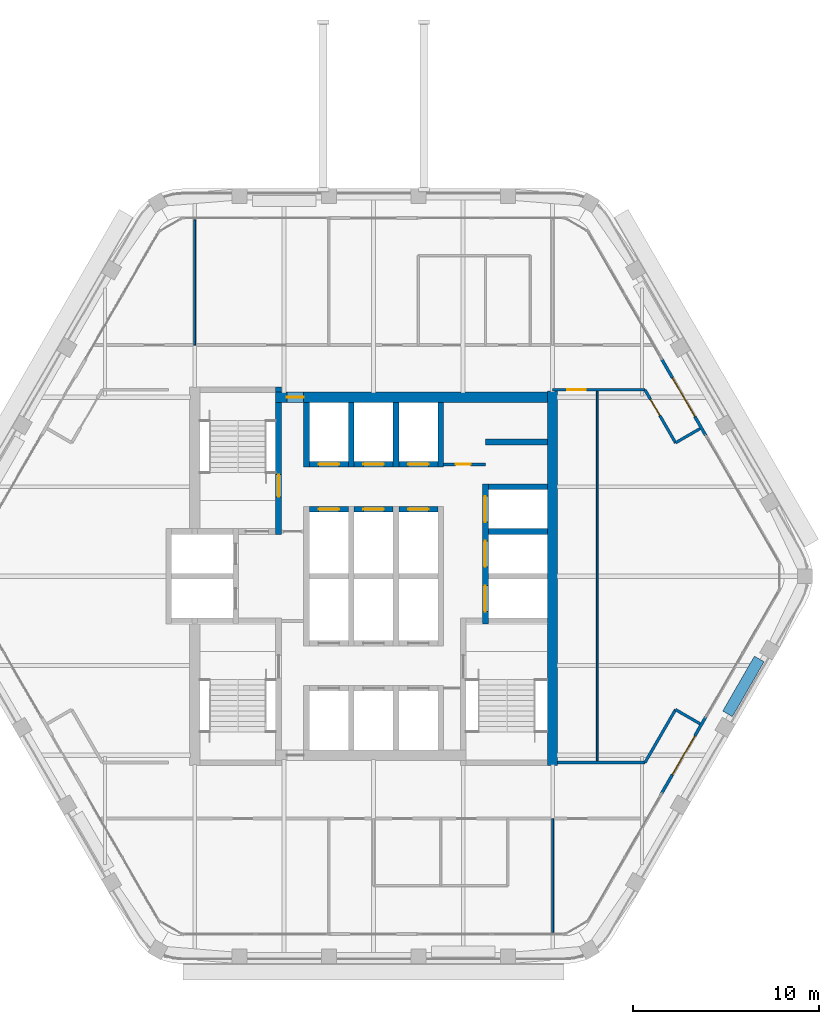
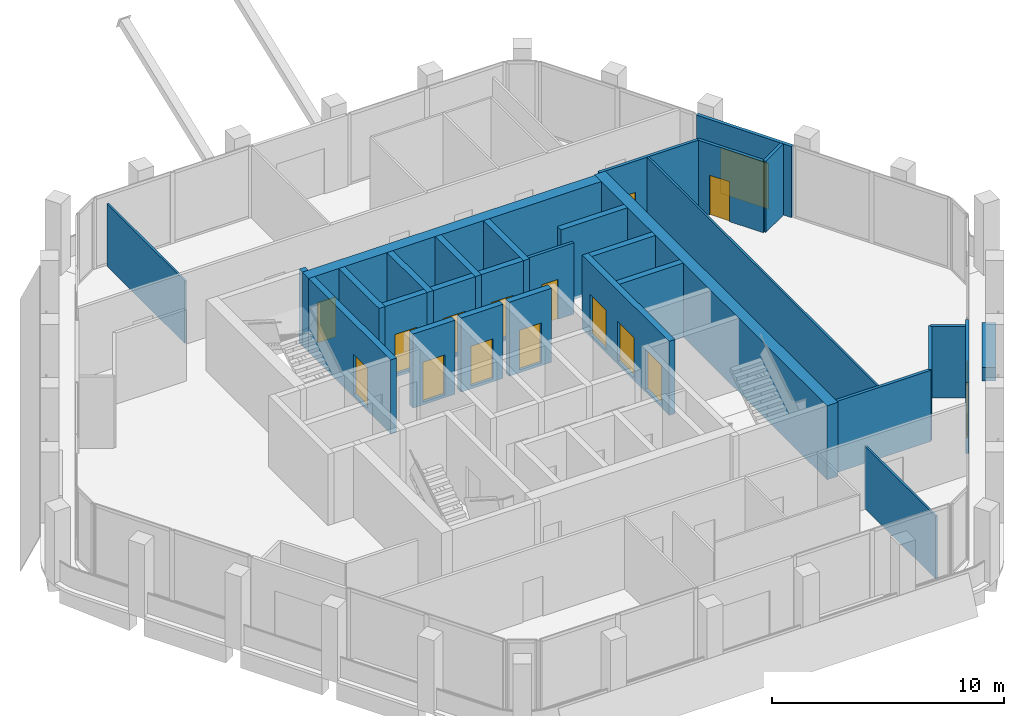
# One storey, part 9 of 14: 31 walls, 16 doors, 16 openings.
"""IFC4 building model written with IfcOpenShell, lengths in metres."""

import ifcopenshell
import ifcopenshell.guid

model = None  # the IFC model being written
_history = None  # IfcOwnerHistory: only IFC2X3 demands one
_inside = {}  # id of a spatial element -> (the spatial element, [elements in it])
_under = {}  # id of a project, library or spatial element -> (it, [spatial elements below it])
_declared = {}  # id of a project -> (the project, [libraries it declares])
_typed = {}  # id of a type object -> (the type object, [elements of that type])
_made_of = {}  # id of a material, layer set ... -> (it, [elements and type objects made of it])


def new_model(schema):
    """Start an empty IFC model of exactly this schema.

    Asked for "IFC4X3", IfcOpenShell would pick the latest addendum, in which some entities
    have other attributes; the version numbers below select the first issue.
    IFC2X3 requires an IfcOwnerHistory on every rooted entity: one is made here for all.
    """
    global model, _history
    if schema == "IFC4X3":
        model = ifcopenshell.file(schema_version=(4, 3, 0, 0))
    else:
        model = ifcopenshell.file(schema=schema)
    _inside.clear()
    _under.clear()
    _declared.clear()
    _typed.clear()
    _made_of.clear()
    _history = None
    if model.schema == "IFC2X3":
        org = make("IfcOrganization", Name="unknown")
        user = make(
            "IfcPersonAndOrganization",
            ThePerson=make("IfcPerson", FamilyName="unknown"),
            TheOrganization=org,
        )
        app = make(
            "IfcApplication",
            ApplicationDeveloper=org,
            Version="unknown",
            ApplicationFullName="unknown",
            ApplicationIdentifier="unknown",
        )
        _history = make(
            "IfcOwnerHistory",
            OwningUser=user,
            OwningApplication=app,
            ChangeAction="ADDED",
            CreationDate=0,
        )
    return model


def make(cls, **values):
    """One entity of the class cls with the attributes given. An attribute that is None is left unset."""
    return model.create_entity(
        cls, **{name: value for name, value in values.items() if value is not None}
    )


def rooted(cls, **values):
    """An entity with a GlobalId (a new one), such as an element, a storey or a relation."""
    return make(cls, GlobalId=ifcopenshell.guid.new(), OwnerHistory=_history, **values)


def si_unit(unit_type, name, prefix=None):
    """IfcSIUnit, for example si_unit("LENGTHUNIT", "METRE", prefix="MILLI")."""
    return make("IfcSIUnit", UnitType=unit_type, Prefix=prefix, Name=name)


def assignment(units):
    """IfcUnitAssignment: the units of a project."""
    return None if units is None else make("IfcUnitAssignment", Units=units)


def point(xyz):
    """IfcCartesianPoint."""
    return None if xyz is None else make("IfcCartesianPoint", Coordinates=xyz)


def direction(xyz):
    """IfcDirection."""
    return None if xyz is None else make("IfcDirection", DirectionRatios=xyz)


def frame(location, z_axis=None, x_axis=None):
    """IfcAxis2Placement3D, a coordinate frame: its origin and axes. An axis left out is left unset."""
    return make(
        "IfcAxis2Placement3D",
        Location=point(location),
        Axis=direction(z_axis),
        RefDirection=direction(x_axis),
    )


def frame_2d(location, x_axis=None):
    """IfcAxis2Placement2D, a coordinate frame in the plane: its origin and x axis."""
    return make(
        "IfcAxis2Placement2D", Location=point(location), RefDirection=direction(x_axis)
    )


def origin():
    """The frame at (0, 0, 0) with its axes left unset."""
    return frame((0.0, 0.0, 0.0))


def place(relative_to, where):
    """IfcLocalPlacement: puts the frame where relative to a parent placement (None: the world)."""
    return make(
        "IfcLocalPlacement", PlacementRelTo=relative_to, RelativePlacement=where
    )


def context(
    kind, dimensions, precision=None, world=None, true_north=None, identifier=None
):
    """IfcGeometricRepresentationContext, for example the 3D "Model" context."""
    return make(
        "IfcGeometricRepresentationContext",
        ContextIdentifier=identifier,
        ContextType=kind,
        CoordinateSpaceDimension=dimensions,
        Precision=precision,
        WorldCoordinateSystem=world,
        TrueNorth=true_north,
    )


def subcontext(parent, identifier, kind, view, scale=None):
    """IfcGeometricRepresentationSubContext, for example "Body" below "Model"."""
    return make(
        "IfcGeometricRepresentationSubContext",
        ContextIdentifier=identifier,
        ContextType=kind,
        ParentContext=parent,
        TargetScale=scale,
        TargetView=view,
    )


def project(units=None, contexts=None):
    """IfcProject with its units and contexts."""
    return rooted(
        "IfcProject",
        Name="project",
        RepresentationContexts=contexts,
        UnitsInContext=assignment(units),
    )


def spatial(cls, under=None, at=None, **own):
    """A site, building, storey or space (cls), placed at a placement, below another one or the project."""
    s = rooted(cls, ObjectPlacement=at, **own)
    if under is not None:
        _under.setdefault(under.id(), (under, []))[1].append(s)
    return s


def profile(cls, at=None, kind="AREA", **sizes):
    """A parametric profile (cls). Its sizes go by their IFC names, for example OverallWidth=200.0."""
    return make(cls, ProfileType=kind, Position=at, **sizes)


def rectangle(**sizes):
    """IfcRectangleProfileDef."""
    return profile("IfcRectangleProfileDef", **sizes)


def extrude(swept, where, along, depth):
    """IfcExtrudedAreaSolid: the profile swept, set in the frame where, extruded along a direction by depth."""
    return make(
        "IfcExtrudedAreaSolid",
        SweptArea=swept,
        Position=where,
        ExtrudedDirection=direction(along),
        Depth=depth,
    )


def shape(context_of_items, identifier, shape_type, items):
    """IfcShapeRepresentation: the items that make up one representation, for example the "Body"."""
    return make(
        "IfcShapeRepresentation",
        ContextOfItems=context_of_items,
        RepresentationIdentifier=identifier,
        RepresentationType=shape_type,
        Items=items,
    )


def material(Name=None, Category=None):
    """IfcMaterial."""
    return make("IfcMaterial", Name=Name, Category=Category)


def layer(
    of_material, thickness, ventilated=None, Name=None, Category=None, Priority=None
):
    """IfcMaterialLayer: one layer of a wall or slab, of a material (None: an air gap)."""
    return make(
        "IfcMaterialLayer",
        Material=of_material,
        LayerThickness=thickness,
        IsVentilated=ventilated,
        Name=Name,
        Category=Category,
        Priority=Priority,
    )


def layer_set(layers, Name=None):
    """IfcMaterialLayerSet."""
    return make("IfcMaterialLayerSet", MaterialLayers=layers, LayerSetName=Name)


def made_of(thing, what):
    """Note that an element or type object is made of a material, layer set ...; save() writes the relation."""
    if what is not None:
        _made_of.setdefault(what.id(), (what, []))[1].append(thing)
    return thing


def type_object(cls, material=None, **own):
    """A type object (cls), such as IfcWallType, which elements share."""
    return made_of(rooted(cls, **own), material)


def element(
    cls,
    number,
    at=None,
    inside=None,
    cuts=None,
    type_object=None,
    material=None,
    context=None,
    identifier="Body",
    shape_type=None,
    held_by="IfcProductDefinitionShape",
    body=None,
    shapes=None,
    **own,
):
    """One element of the class cls, such as IfcWall. Its Tag is "e" and its number.

    at: its placement. inside: the storey or other place that contains it. cuts: it is an
    opening in that element (IfcRelVoidsElement). A single representation is given by context,
    identifier, shape_type and body (its items); several are given by shapes. held_by: the class
    of the entity that holds the representations. save() writes the other relations.
    """
    e = rooted(cls, Tag="e%d" % number, ObjectPlacement=at, **own)
    if body is not None:
        shapes = [shape(context, identifier, shape_type, body)]
    if shapes is not None:
        e.Representation = make(held_by, Representations=shapes)
    if inside is not None:
        _inside.setdefault(inside.id(), (inside, []))[1].append(e)
    if cuts is not None:
        rooted(
            "IfcRelVoidsElement", RelatingBuildingElement=cuts, RelatedOpeningElement=e
        )
    if type_object is not None:
        _typed.setdefault(type_object.id(), (type_object, []))[1].append(e)
    return made_of(e, material)


def fill(opening, filler):
    """IfcRelFillsElement: the door or window that sits in an opening."""
    return rooted(
        "IfcRelFillsElement",
        RelatingOpeningElement=opening,
        RelatedBuildingElement=filler,
    )


def aggregate(whole, parts):
    """IfcRelAggregates: a whole, such as a stair, and the parts it consists of."""
    return rooted("IfcRelAggregates", RelatingObject=whole, RelatedObjects=parts)


def save(model, path):
    """Write the relations noted so far, then the file.

    IfcRelAggregates (storeys below a building ...), IfcRelContainedInSpatialStructure (elements
    in a storey), IfcRelDefinesByType, IfcRelAssociatesMaterial and IfcRelDeclares: one each for
    every whole, place, type object, material and project.
    """
    for whole, parts in _under.values():
        aggregate(whole, parts)
    for where, things in _inside.values():
        rooted(
            "IfcRelContainedInSpatialStructure",
            RelatedElements=things,
            RelatingStructure=where,
        )
    for kind, things in _typed.values():
        rooted("IfcRelDefinesByType", RelatedObjects=things, RelatingType=kind)
    for what, things in _made_of.values():
        rooted("IfcRelAssociatesMaterial", RelatedObjects=things, RelatingMaterial=what)
    for by, libraries in _declared.values():
        rooted("IfcRelDeclares", RelatingContext=by, RelatedDefinitions=libraries)
    model.write(path)


model = new_model("IFC4")

# Units and contexts
model_context = context("Model", 3, precision=1e-05, world=origin(), true_north=direction((0.0, 1.0)))
body_context = subcontext(model_context, "Body", "Model", "MODEL_VIEW")
ifc_project = project(units=[si_unit("LENGTHUNIT", "METRE"), si_unit("AREAUNIT", "SQUARE_METRE"), si_unit("VOLUMEUNIT", "CUBIC_METRE"), si_unit("PLANEANGLEUNIT", "RADIAN"), si_unit("MASSUNIT", "GRAM", prefix="KILO")], contexts=[model_context])

# Site, building, storey
site_placement = place(None, origin())
site = spatial("IfcSite", under=ifc_project, at=site_placement, CompositionType="ELEMENT")
building_placement = place(site_placement, origin())
building = spatial("IfcBuilding", under=site, at=building_placement, Name="Kolab Exchange Tower", CompositionType="ELEMENT")
storey_placement = place(building_placement, frame((0.0, 0.0, 261.800048828125)))
storey = spatial("IfcBuildingStorey", under=building, at=storey_placement, Name="L58", CompositionType="ELEMENT", Elevation=261.800048828125)

# Wall, opening, door
ifc_material_1 = material(Name="Concrete C50/60", Category="concrete")
ifc_layer_1 = layer(ifc_material_1, 0.550048828125)
ifc_layer_set_1 = layer_set([ifc_layer_1], Name="Concrete C50/60")
wall_type_1 = type_object("IfcWallType", Name="CORE WALL 550 C50/60", PredefinedType="SHEAR", material=ifc_layer_set_1)
wall_1_placement = place(storey_placement, frame((-5.25, 9.60009765625, -0.150146484375), z_axis=(0.0, 0.0, 1.0), x_axis=(1.0, 0.0, 0.0)))
wall_1 = element("IfcWall", 1, at=wall_1_placement, inside=storey, type_object=wall_type_1, Name="wall/L58/core/031", PredefinedType="SHEAR", context=body_context, shape_type="SweptSolid", body=[
    extrude(rectangle(XDim=14.574951171875, YDim=0.550048828125, at=frame_2d((7.28759765625, 0.0))), origin(), (0.0, 0.0, 1.0), 3.900146484375),
])
opening_1_placement = place(wall_1_placement, frame((0.60009765625, 0.0, 0.14990234375)))
opening_1 = element("IfcOpeningElement", 2, at=opening_1_placement, cuts=wall_1, Name="Opening D6-295", PredefinedType="OPENING", context=body_context, shape_type="SweptSolid", body=[
    extrude(rectangle(XDim=0.89990234375, YDim=2.10009765625, at=frame_2d((0.449951171875, 1.050048828125))), frame((0.0, 0.28515625, 0.0), z_axis=(0.0, -1.0, 0.0), x_axis=(1.0, 0.0, 0.0)), (0.0, 0.0, 1.0), 0.570068359375),
])
ifc_material_2 = material(Name="Steel S235", Category="steel")
door_type_1 = type_object("IfcDoorType", Name="CORE DOOR 900 EI 120", OperationType="SINGLE_SWING_LEFT", PredefinedType="DOOR", material=ifc_material_2)
door_1_placement = place(opening_1_placement, frame((0.89990234375, 0.0, 0.0), z_axis=(0.0, 0.0, 1.0), x_axis=(-1.0, 0.0, 0.0)))
door_1 = element("IfcDoor", 3, at=door_1_placement, inside=storey, type_object=door_type_1, Name="Core lobby door", OperationType="SINGLE_SWING_RIGHT", OverallHeight=2.10009765625, OverallWidth=0.89990234375, PredefinedType="DOOR", context=body_context, shape_type="SweptSolid", body=[
    extrude(rectangle(XDim=0.89990234375, YDim=2.10009765625, at=frame_2d((0.449951171875, 1.050048828125))), frame((0.0, 0.02490234375, 0.0), z_axis=(0.0, -1.0, 0.0), x_axis=(1.0, 0.0, 0.0)), (0.0, 0.0, 1.0), 0.050048828125),
])
fill(opening_1, door_1)

# Wall
wall_2_placement = place(storey_placement, frame((9.60009765625, -10.14990234375, -0.150146484375), z_axis=(0.0, 0.0, 1.0), x_axis=(0.0, 1.0, 0.0)))
element("IfcWall", 4, at=wall_2_placement, inside=storey, type_object=wall_type_1, Name="wall/L58/core/058", PredefinedType="SHEAR", context=body_context, shape_type="SweptSolid", body=[
    extrude(rectangle(XDim=20.074951171875, YDim=0.550048828125, at=frame_2d((10.03759765625, 0.0))), origin(), (0.0, 0.0, 1.0), 3.900146484375),
])

# Wall, opening, door
ifc_material_3 = material(Name="Aluminium EN AW-6063 T6", Category="aluminium")
ifc_layer_2 = layer(ifc_material_3, 0.159912109375)
ifc_layer_set_2 = layer_set([ifc_layer_2], Name="Aluminium EN AW-6063 T6")
wall_type_2 = type_object("IfcWallType", Name="DOOR SURROUND WALL 160 ALUMINIUM FRAMED", PredefinedType="PARTITIONING", material=ifc_layer_set_2)
wall_3_placement = place(storey_placement, frame((15.44677734375, 11.65478515625, 0.0), z_axis=(0.0, 0.0, 1.0), x_axis=(0.499978080042, -0.866038058908, 0.0)))
wall_3 = element("IfcWall", 5, at=wall_3_placement, inside=storey, type_object=wall_type_2, Name="Door surround wall", PredefinedType="PARTITIONING", context=body_context, shape_type="SweptSolid", body=[
    extrude(rectangle(XDim=4.739990234375, YDim=0.159912109375, at=frame_2d((2.3701171875, 0.0))), origin(), (0.0, 0.0, 1.0), 3.75),
])
opening_2_placement = place(wall_3_placement, frame((1.169921875, 0.0, 0.0)))
opening_2 = element("IfcOpeningElement", 6, at=opening_2_placement, cuts=wall_3, Name="Opening GD1-090", PredefinedType="OPENING", context=body_context, shape_type="SweptSolid", body=[
    extrude(rectangle(XDim=2.39990234375, YDim=2.39990234375, at=frame_2d((1.199951171875, 1.199951171875))), frame((0.0, 0.08984375, 0.0), z_axis=(0.0, -1.0, 0.0), x_axis=(1.0, 0.0, 0.0)), (0.0, 0.0, 1.0), 0.179931640625),
])
door_type_2 = type_object("IfcDoorType", Name="LOGGIA SLIDING GLASS DOOR 2400 X 2400", OperationType="DOUBLE_DOOR_SINGLE_SWING", PredefinedType="DOOR", material=ifc_material_3)
door_2_placement = place(opening_2_placement, origin())
door_2 = element("IfcDoor", 7, at=door_2_placement, inside=storey, type_object=door_type_2, Name="Loggia door", OperationType="DOUBLE_DOOR_SLIDING", OverallHeight=2.39990234375, OverallWidth=2.39990234375, PredefinedType="DOOR", context=body_context, shape_type="SweptSolid", body=[
    extrude(rectangle(XDim=2.39990234375, YDim=2.39990234375, at=frame_2d((1.199951171875, 1.199951171875))), frame((0.0, 0.02490234375, 0.0), z_axis=(0.0, -1.0, 0.0), x_axis=(1.0, 0.0, 0.0)), (0.0, 0.0, 1.0), 0.050048828125),
])
fill(opening_2, door_2)

wall_4_placement = place(storey_placement, frame((17.816650390625, -7.5498046875, 0.0), z_axis=(0.0, 0.0, 1.0), x_axis=(-0.499978080042, -0.866038058908, 0.0)))
wall_4 = element("IfcWall", 8, at=wall_4_placement, inside=storey, type_object=wall_type_2, Name="Door surround wall", PredefinedType="PARTITIONING", context=body_context, shape_type="SweptSolid", body=[
    extrude(rectangle(XDim=4.739990234375, YDim=0.159912109375, at=frame_2d((2.3701171875, 0.0))), origin(), (0.0, 0.0, 1.0), 3.75),
])
opening_3_placement = place(wall_4_placement, frame((1.169921875, 0.0, 0.0)))
opening_3 = element("IfcOpeningElement", 9, at=opening_3_placement, cuts=wall_4, Name="Opening GD1-091", PredefinedType="OPENING", context=body_context, shape_type="SweptSolid", body=[
    extrude(rectangle(XDim=2.39990234375, YDim=2.39990234375, at=frame_2d((1.199951171875, 1.199951171875))), frame((0.0, 0.08984375, 0.0), z_axis=(0.0, -1.0, 0.0), x_axis=(1.0, 0.0, 0.0)), (0.0, 0.0, 1.0), 0.179931640625),
])
door_3_placement = place(opening_3_placement, origin())
door_3 = element("IfcDoor", 10, at=door_3_placement, inside=storey, type_object=door_type_2, Name="Loggia door", OperationType="DOUBLE_DOOR_SLIDING", OverallHeight=2.39990234375, OverallWidth=2.39990234375, PredefinedType="DOOR", context=body_context, shape_type="SweptSolid", body=[
    extrude(rectangle(XDim=2.39990234375, YDim=2.39990234375, at=frame_2d((1.199951171875, 1.199951171875))), frame((0.0, 0.02490234375, 0.0), z_axis=(0.0, -1.0, 0.0), x_axis=(1.0, 0.0, 0.0)), (0.0, 0.0, 1.0), 0.050048828125),
])
fill(opening_3, door_3)

# Wall
ifc_layer_3 = layer(ifc_material_1, 0.300048828125)
ifc_layer_set_3 = layer_set([ifc_layer_3], Name="Concrete C50/60")
wall_type_3 = type_object("IfcWallType", Name="LIFT SHAFT WALL 300 C50/60", PredefinedType="STANDARD", material=ifc_layer_set_3)
wall_5_placement = place(storey_placement, frame((6.14990234375, 2.39990234375, -0.150146484375), z_axis=(0.0, 0.0, 1.0), x_axis=(1.0, 0.0, 0.0)))
element("IfcWall", 11, at=wall_5_placement, inside=storey, type_object=wall_type_3, Name="wall/L58/core/022", PredefinedType="STANDARD", context=body_context, shape_type="SweptSolid", body=[
    extrude(rectangle(XDim=3.175048828125, YDim=0.300048828125, at=frame_2d((1.58740234375, 0.0))), origin(), (0.0, 0.0, 1.0), 3.900146484375),
])

# Wall, opening, door
wall_6_placement = place(storey_placement, frame((-3.449951171875, 3.60009765625, -0.150146484375), z_axis=(0.0, 0.0, 1.0), x_axis=(1.0, 0.0, 0.0)))
wall_6 = element("IfcWall", 12, at=wall_6_placement, inside=storey, type_object=wall_type_3, Name="wall/L58/core/023", PredefinedType="STANDARD", context=body_context, shape_type="SweptSolid", body=[
    extrude(rectangle(XDim=2.099853515625, YDim=0.300048828125, at=frame_2d((1.0498046875, 0.0))), origin(), (0.0, 0.0, 1.0), 3.900146484375),
])
opening_4_placement = place(wall_6_placement, frame((0.5, 0.0, 0.14990234375)))
opening_4 = element("IfcOpeningElement", 13, at=opening_4_placement, cuts=wall_6, Name="Opening LD1-115", PredefinedType="OPENING", context=body_context, shape_type="SweptSolid", body=[
    extrude(rectangle(XDim=1.10009765625, YDim=2.10009765625, at=frame_2d((0.550048828125, 1.050048828125))), frame((0.0, 0.16015625, 0.0), z_axis=(0.0, -1.0, 0.0), x_axis=(1.0, 0.0, 0.0)), (0.0, 0.0, 1.0), 0.320068359375),
])
ifc_material_4 = material(Name="Stainless steel 316", Category="steel")
door_type_3 = type_object("IfcDoorType", Name="LANDING DOOR 1100 PASSENGER", OperationType="DOUBLE_DOOR_SLIDING", PredefinedType="DOOR", material=ifc_material_4)
door_4_placement = place(opening_4_placement, origin())
door_4 = element("IfcDoor", 14, at=door_4_placement, inside=storey, type_object=door_type_3, Name="Landing door HR4", OperationType="DOUBLE_DOOR_SLIDING", OverallHeight=2.10009765625, OverallWidth=1.10009765625, PredefinedType="DOOR", context=body_context, shape_type="SweptSolid", body=[
    extrude(rectangle(XDim=1.10009765625, YDim=2.10009765625, at=frame_2d((0.550048828125, 1.050048828125))), frame((0.0, 0.02490234375, 0.0), z_axis=(0.0, -1.0, 0.0), x_axis=(1.0, 0.0, 0.0)), (0.0, 0.0, 1.0), 0.050048828125),
])
fill(opening_4, door_4)

wall_7_placement = place(storey_placement, frame((-1.050048828125, 3.60009765625, -0.150146484375), z_axis=(0.0, 0.0, 1.0), x_axis=(1.0, 0.0, 0.0)))
wall_7 = element("IfcWall", 15, at=wall_7_placement, inside=storey, type_object=wall_type_3, Name="wall/L58/core/024", PredefinedType="STANDARD", context=body_context, shape_type="SweptSolid", body=[
    extrude(rectangle(XDim=2.10009765625, YDim=0.300048828125, at=frame_2d((1.050048828125, 0.0))), origin(), (0.0, 0.0, 1.0), 3.900146484375),
])
opening_5_placement = place(wall_7_placement, frame((0.5, 0.0, 0.14990234375)))
opening_5 = element("IfcOpeningElement", 16, at=opening_5_placement, cuts=wall_7, Name="Opening LD1-116", PredefinedType="OPENING", context=body_context, shape_type="SweptSolid", body=[
    extrude(rectangle(XDim=1.10009765625, YDim=2.10009765625, at=frame_2d((0.550048828125, 1.050048828125))), frame((0.0, 0.16015625, 0.0), z_axis=(0.0, -1.0, 0.0), x_axis=(1.0, 0.0, 0.0)), (0.0, 0.0, 1.0), 0.320068359375),
])
door_5_placement = place(opening_5_placement, origin())
door_5 = element("IfcDoor", 17, at=door_5_placement, inside=storey, type_object=door_type_3, Name="Landing door HR5", OperationType="DOUBLE_DOOR_SLIDING", OverallHeight=2.10009765625, OverallWidth=1.10009765625, PredefinedType="DOOR", context=body_context, shape_type="SweptSolid", body=[
    extrude(rectangle(XDim=1.10009765625, YDim=2.10009765625, at=frame_2d((0.550048828125, 1.050048828125))), frame((0.0, 0.02490234375, 0.0), z_axis=(0.0, -1.0, 0.0), x_axis=(1.0, 0.0, 0.0)), (0.0, 0.0, 1.0), 0.050048828125),
])
fill(opening_5, door_5)

wall_8_placement = place(storey_placement, frame((1.35009765625, 3.60009765625, -0.150146484375), z_axis=(0.0, 0.0, 1.0), x_axis=(1.0, 0.0, 0.0)))
wall_8 = element("IfcWall", 18, at=wall_8_placement, inside=storey, type_object=wall_type_3, Name="wall/L58/core/025", PredefinedType="STANDARD", context=body_context, shape_type="SweptSolid", body=[
    extrude(rectangle(XDim=2.099853515625, YDim=0.300048828125, at=frame_2d((1.0498046875, 0.0))), origin(), (0.0, 0.0, 1.0), 3.900146484375),
])
opening_6_placement = place(wall_8_placement, frame((0.5, 0.0, 0.14990234375)))
opening_6 = element("IfcOpeningElement", 19, at=opening_6_placement, cuts=wall_8, Name="Opening LD1-117", PredefinedType="OPENING", context=body_context, shape_type="SweptSolid", body=[
    extrude(rectangle(XDim=1.10009765625, YDim=2.10009765625, at=frame_2d((0.550048828125, 1.050048828125))), frame((0.0, 0.16015625, 0.0), z_axis=(0.0, -1.0, 0.0), x_axis=(1.0, 0.0, 0.0)), (0.0, 0.0, 1.0), 0.320068359375),
])
door_6_placement = place(opening_6_placement, origin())
door_6 = element("IfcDoor", 20, at=door_6_placement, inside=storey, type_object=door_type_3, Name="Landing door HR6", OperationType="DOUBLE_DOOR_SLIDING", OverallHeight=2.10009765625, OverallWidth=1.10009765625, PredefinedType="DOOR", context=body_context, shape_type="SweptSolid", body=[
    extrude(rectangle(XDim=1.10009765625, YDim=2.10009765625, at=frame_2d((0.550048828125, 1.050048828125))), frame((0.0, 0.02490234375, 0.0), z_axis=(0.0, -1.0, 0.0), x_axis=(1.0, 0.0, 0.0)), (0.0, 0.0, 1.0), 0.050048828125),
])
fill(opening_6, door_6)

# Wall
wall_9_placement = place(storey_placement, frame((6.14990234375, 4.800048828125, -0.150146484375), z_axis=(0.0, 0.0, 1.0), x_axis=(1.0, 0.0, 0.0)))
element("IfcWall", 21, at=wall_9_placement, inside=storey, type_object=wall_type_3, Name="wall/L58/core/026", PredefinedType="STANDARD", context=body_context, shape_type="SweptSolid", body=[
    extrude(rectangle(XDim=3.175048828125, YDim=0.300048828125, at=frame_2d((1.58740234375, 0.0))), origin(), (0.0, 0.0, 1.0), 3.900146484375),
])

# Wall, opening, door
wall_10_placement = place(storey_placement, frame((-3.449951171875, 6.0, -0.150146484375), z_axis=(0.0, 0.0, 1.0), x_axis=(1.0, 0.0, 0.0)))
wall_10 = element("IfcWall", 22, at=wall_10_placement, inside=storey, type_object=wall_type_3, Name="wall/L58/core/027", PredefinedType="STANDARD", context=body_context, shape_type="SweptSolid", body=[
    extrude(rectangle(XDim=2.099853515625, YDim=0.300048828125, at=frame_2d((1.0498046875, 0.0))), origin(), (0.0, 0.0, 1.0), 3.900146484375),
])
opening_7_placement = place(wall_10_placement, frame((0.5, 0.0, 0.14990234375)))
opening_7 = element("IfcOpeningElement", 23, at=opening_7_placement, cuts=wall_10, Name="Opening LD1-109", PredefinedType="OPENING", context=body_context, shape_type="SweptSolid", body=[
    extrude(rectangle(XDim=1.10009765625, YDim=2.10009765625, at=frame_2d((0.550048828125, 1.050048828125))), frame((0.0, 0.16015625, 0.0), z_axis=(0.0, -1.0, 0.0), x_axis=(1.0, 0.0, 0.0)), (0.0, 0.0, 1.0), 0.320068359375),
])
door_7_placement = place(opening_7_placement, origin())
door_7 = element("IfcDoor", 24, at=door_7_placement, inside=storey, type_object=door_type_3, Name="Landing door HR1", OperationType="DOUBLE_DOOR_SLIDING", OverallHeight=2.10009765625, OverallWidth=1.10009765625, PredefinedType="DOOR", context=body_context, shape_type="SweptSolid", body=[
    extrude(rectangle(XDim=1.10009765625, YDim=2.10009765625, at=frame_2d((0.550048828125, 1.050048828125))), frame((0.0, 0.02490234375, 0.0), z_axis=(0.0, -1.0, 0.0), x_axis=(1.0, 0.0, 0.0)), (0.0, 0.0, 1.0), 0.050048828125),
])
fill(opening_7, door_7)

wall_11_placement = place(storey_placement, frame((-1.050048828125, 6.0, -0.150146484375), z_axis=(0.0, 0.0, 1.0), x_axis=(1.0, 0.0, 0.0)))
wall_11 = element("IfcWall", 25, at=wall_11_placement, inside=storey, type_object=wall_type_3, Name="wall/L58/core/028", PredefinedType="STANDARD", context=body_context, shape_type="SweptSolid", body=[
    extrude(rectangle(XDim=2.10009765625, YDim=0.300048828125, at=frame_2d((1.050048828125, 0.0))), origin(), (0.0, 0.0, 1.0), 3.900146484375),
])
opening_8_placement = place(wall_11_placement, frame((0.5, 0.0, 0.14990234375)))
opening_8 = element("IfcOpeningElement", 26, at=opening_8_placement, cuts=wall_11, Name="Opening LD1-113", PredefinedType="OPENING", context=body_context, shape_type="SweptSolid", body=[
    extrude(rectangle(XDim=1.10009765625, YDim=2.10009765625, at=frame_2d((0.550048828125, 1.050048828125))), frame((0.0, 0.16015625, 0.0), z_axis=(0.0, -1.0, 0.0), x_axis=(1.0, 0.0, 0.0)), (0.0, 0.0, 1.0), 0.320068359375),
])
door_8_placement = place(opening_8_placement, origin())
door_8 = element("IfcDoor", 27, at=door_8_placement, inside=storey, type_object=door_type_3, Name="Landing door HR2", OperationType="DOUBLE_DOOR_SLIDING", OverallHeight=2.10009765625, OverallWidth=1.10009765625, PredefinedType="DOOR", context=body_context, shape_type="SweptSolid", body=[
    extrude(rectangle(XDim=1.10009765625, YDim=2.10009765625, at=frame_2d((0.550048828125, 1.050048828125))), frame((0.0, 0.02490234375, 0.0), z_axis=(0.0, -1.0, 0.0), x_axis=(1.0, 0.0, 0.0)), (0.0, 0.0, 1.0), 0.050048828125),
])
fill(opening_8, door_8)

wall_12_placement = place(storey_placement, frame((1.35009765625, 6.0, -0.150146484375), z_axis=(0.0, 0.0, 1.0), x_axis=(1.0, 0.0, 0.0)))
wall_12 = element("IfcWall", 28, at=wall_12_placement, inside=storey, type_object=wall_type_3, Name="wall/L58/core/029", PredefinedType="STANDARD", context=body_context, shape_type="SweptSolid", body=[
    extrude(rectangle(XDim=2.099853515625, YDim=0.300048828125, at=frame_2d((1.0498046875, 0.0))), origin(), (0.0, 0.0, 1.0), 3.900146484375),
])
opening_9_placement = place(wall_12_placement, frame((0.5, 0.0, 0.14990234375)))
opening_9 = element("IfcOpeningElement", 29, at=opening_9_placement, cuts=wall_12, Name="Opening LD1-114", PredefinedType="OPENING", context=body_context, shape_type="SweptSolid", body=[
    extrude(rectangle(XDim=1.10009765625, YDim=2.10009765625, at=frame_2d((0.550048828125, 1.050048828125))), frame((0.0, 0.16015625, 0.0), z_axis=(0.0, -1.0, 0.0), x_axis=(1.0, 0.0, 0.0)), (0.0, 0.0, 1.0), 0.320068359375),
])
door_9_placement = place(opening_9_placement, origin())
door_9 = element("IfcDoor", 30, at=door_9_placement, inside=storey, type_object=door_type_3, Name="Landing door HR3", OperationType="DOUBLE_DOOR_SLIDING", OverallHeight=2.10009765625, OverallWidth=1.10009765625, PredefinedType="DOOR", context=body_context, shape_type="SweptSolid", body=[
    extrude(rectangle(XDim=1.10009765625, YDim=2.10009765625, at=frame_2d((0.550048828125, 1.050048828125))), frame((0.0, 0.02490234375, 0.0), z_axis=(0.0, -1.0, 0.0), x_axis=(1.0, 0.0, 0.0)), (0.0, 0.0, 1.0), 0.050048828125),
])
fill(opening_9, door_9)

# Walls
wall_13_placement = place(storey_placement, frame((6.0, 7.199951171875, -0.150146484375), z_axis=(0.0, 0.0, 1.0), x_axis=(1.0, 0.0, 0.0)))
element("IfcWall", 31, at=wall_13_placement, inside=storey, type_object=wall_type_3, Name="wall/L58/core/030", PredefinedType="STANDARD", context=body_context, shape_type="SweptSolid", body=[
    extrude(rectangle(XDim=3.324951171875, YDim=0.300048828125, at=frame_2d((1.66259765625, 0.0))), origin(), (0.0, 0.0, 1.0), 3.900146484375),
])
for number, where, z_axis, x_axis, name in (
    (32, (-3.60009765625, 5.85009765625, -0.150146484375), (0.0, 0.0, 1.0), (0.0, 1.0, 0.0), "wall/L58/core/045"),
    (33, (-1.199951171875, 5.85009765625, -0.150146484375), (0.0, 0.0, 1.0), (0.0, 1.0, 0.0), "wall/L58/core/048"),
    (34, (1.199951171875, 5.85009765625, -0.150146484375), (0.0, 0.0, 1.0), (0.0, 1.0, 0.0), "wall/L58/core/051"),
    (35, (3.60009765625, 5.85009765625, -0.150146484375), (0.0, 0.0, 1.0), (0.0, 1.0, 0.0), "wall/L58/core/054"),
):
    element("IfcWall", number, at=place(storey_placement, frame(where, z_axis=z_axis, x_axis=x_axis)), inside=storey, type_object=wall_type_3, Name=name, PredefinedType="STANDARD", context=body_context, shape_type="SweptSolid", body=[
        extrude(rectangle(XDim=3.474853515625, YDim=0.300048828125, at=frame_2d((1.7373046875, 0.0))), origin(), (0.0, 0.0, 1.0), 3.900146484375),
    ])

# Wall, openings, doors
wall_14_placement = place(storey_placement, frame((6.0, -2.550048828125, -0.150146484375), z_axis=(0.0, 0.0, 1.0), x_axis=(0.0, 1.0, 0.0)))
wall_14 = element("IfcWall", 36, at=wall_14_placement, inside=storey, type_object=wall_type_3, Name="wall/L58/core/057", PredefinedType="STANDARD", context=body_context, shape_type="SweptSolid", body=[
    extrude(rectangle(XDim=7.5, YDim=0.300048828125, at=frame_2d((3.75, 0.0))), origin(), (0.0, 0.0, 1.0), 3.900146484375),
])
opening_10_placement = place(wall_14_placement, frame((0.64990234375, 0.0, 0.14990234375)))
opening_10 = element("IfcOpeningElement", 37, at=opening_10_placement, cuts=wall_14, Name="Opening LD3-037", PredefinedType="OPENING", context=body_context, shape_type="SweptSolid", body=[
    extrude(rectangle(XDim=1.39990234375, YDim=2.10009765625, at=frame_2d((0.699951171875, 1.050048828125))), frame((0.0, 0.16015625, 0.0), z_axis=(0.0, -1.0, 0.0), x_axis=(1.0, 0.0, 0.0)), (0.0, 0.0, 1.0), 0.320068359375),
])
opening_11_placement = place(wall_14_placement, frame((3.050048828125, 0.0, 0.14990234375)))
opening_11 = element("IfcOpeningElement", 38, at=opening_11_placement, cuts=wall_14, Name="Opening LD3-038", PredefinedType="OPENING", context=body_context, shape_type="SweptSolid", body=[
    extrude(rectangle(XDim=1.39990234375, YDim=2.10009765625, at=frame_2d((0.699951171875, 1.050048828125))), frame((0.0, 0.16015625, 0.0), z_axis=(0.0, -1.0, 0.0), x_axis=(1.0, 0.0, 0.0)), (0.0, 0.0, 1.0), 0.320068359375),
])
opening_12_placement = place(wall_14_placement, frame((5.449951171875, 0.0, 0.14990234375)))
opening_12 = element("IfcOpeningElement", 39, at=opening_12_placement, cuts=wall_14, Name="Opening LD3-039", PredefinedType="OPENING", context=body_context, shape_type="SweptSolid", body=[
    extrude(rectangle(XDim=1.39990234375, YDim=2.10009765625, at=frame_2d((0.699951171875, 1.050048828125))), frame((0.0, 0.16015625, 0.0), z_axis=(0.0, -1.0, 0.0), x_axis=(1.0, 0.0, 0.0)), (0.0, 0.0, 1.0), 0.320068359375),
])
door_type_4 = type_object("IfcDoorType", Name="LANDING DOOR 1400 SERVICE", OperationType="DOUBLE_DOOR_SLIDING", PredefinedType="DOOR", material=ifc_material_4)
door_10_placement = place(opening_10_placement, origin())
door_10 = element("IfcDoor", 40, at=door_10_placement, inside=storey, type_object=door_type_4, Name="Landing door SV1", OperationType="DOUBLE_DOOR_SLIDING", OverallHeight=2.10009765625, OverallWidth=1.39990234375, PredefinedType="DOOR", context=body_context, shape_type="SweptSolid", body=[
    extrude(rectangle(XDim=1.39990234375, YDim=2.10009765625, at=frame_2d((0.699951171875, 1.050048828125))), frame((0.0, 0.02490234375, 0.0), z_axis=(0.0, -1.0, 0.0), x_axis=(1.0, 0.0, 0.0)), (0.0, 0.0, 1.0), 0.050048828125),
])
fill(opening_10, door_10)
door_11_placement = place(opening_11_placement, origin())
door_11 = element("IfcDoor", 41, at=door_11_placement, inside=storey, type_object=door_type_4, Name="Landing door SV2", OperationType="DOUBLE_DOOR_SLIDING", OverallHeight=2.10009765625, OverallWidth=1.39990234375, PredefinedType="DOOR", context=body_context, shape_type="SweptSolid", body=[
    extrude(rectangle(XDim=1.39990234375, YDim=2.10009765625, at=frame_2d((0.699951171875, 1.050048828125))), frame((0.0, 0.02490234375, 0.0), z_axis=(0.0, -1.0, 0.0), x_axis=(1.0, 0.0, 0.0)), (0.0, 0.0, 1.0), 0.050048828125),
])
fill(opening_11, door_11)
door_12_placement = place(opening_12_placement, origin())
door_12 = element("IfcDoor", 42, at=door_12_placement, inside=storey, type_object=door_type_4, Name="Landing door SV3", OperationType="DOUBLE_DOOR_SLIDING", OverallHeight=2.10009765625, OverallWidth=1.39990234375, PredefinedType="DOOR", context=body_context, shape_type="SweptSolid", body=[
    extrude(rectangle(XDim=1.39990234375, YDim=2.10009765625, at=frame_2d((0.699951171875, 1.050048828125))), frame((0.0, 0.02490234375, 0.0), z_axis=(0.0, -1.0, 0.0), x_axis=(1.0, 0.0, 0.0)), (0.0, 0.0, 1.0), 0.050048828125),
])
fill(opening_12, door_12)

# Walls
ifc_material_5 = material(Name="Gypsum board", Category="gypsum")
ifc_layer_4 = layer(ifc_material_5, 0.10009765625)
ifc_layer_set_4 = layer_set([ifc_layer_4], Name="Gypsum board")
wall_type_4 = type_object("IfcWallType", Name="PARTITION 100", PredefinedType="PARTITIONING", material=ifc_layer_set_4)
wall_15_placement = place(storey_placement, frame((12.0, -10.0, 0.0), z_axis=(0.0, 0.0, 1.0), x_axis=(0.0, 1.0, 0.0)))
element("IfcWall", 43, at=wall_15_placement, inside=storey, type_object=wall_type_4, Name="Partition 000", PredefinedType="PARTITIONING", context=body_context, shape_type="SweptSolid", body=[
    extrude(rectangle(XDim=20.0, YDim=0.10009765625, at=frame_2d((10.0, 0.0))), origin(), (0.0, 0.0, 1.0), 3.75),
])
wall_16_placement = place(storey_placement, frame((9.60009765625, -19.114501953125, 0.0), z_axis=(0.0, 0.0, 1.0), x_axis=(0.0, 1.0, 0.0)))
element("IfcWall", 44, at=wall_16_placement, inside=storey, type_object=wall_type_4, Name="Partition 001", PredefinedType="PARTITIONING", context=body_context, shape_type="SweptSolid", body=[
    extrude(rectangle(XDim=6.114501953125, YDim=0.10009765625, at=frame_2d((3.05712890625, 0.0))), origin(), (0.0, 0.0, 1.0), 3.29296875),
])
wall_17_placement = place(storey_placement, frame((-9.60009765625, 12.39990234375, 0.0), z_axis=(0.0, 0.0, 1.0), x_axis=(0.0, 1.0, 0.0)))
element("IfcWall", 45, at=wall_17_placement, inside=storey, type_object=wall_type_4, Name="Partition 011", PredefinedType="PARTITIONING", context=body_context, shape_type="SweptSolid", body=[
    extrude(rectangle(XDim=6.714599609375, YDim=0.10009765625, at=frame_2d((3.357421875, 0.0))), origin(), (0.0, 0.0, 1.0), 3.29296875),
])

# Wall, opening, door
ifc_layer_5 = layer(ifc_material_5, 0.14990234375)
ifc_layer_set_5 = layer_set([ifc_layer_5], Name="Gypsum board")
wall_type_5 = type_object("IfcWallType", Name="PARTITION 150 FIRE-RATED", PredefinedType="PARTITIONING", material=ifc_layer_set_5)
wall_18_placement = place(storey_placement, frame((14.5546875, 10.0, 0.0), z_axis=(0.0, 0.0, 1.0), x_axis=(0.499954196102, -0.866051847062, 0.0)))
wall_18 = element("IfcWall", 46, at=wall_18_placement, inside=storey, type_object=wall_type_5, Name="Partition 013", PredefinedType="PARTITIONING", context=body_context, shape_type="SweptSolid", body=[
    extrude(rectangle(XDim=3.282958984375, YDim=0.14990234375, at=frame_2d((1.6416015625, 0.0))), origin(), (0.0, 0.0, 1.0), 3.75),
])
opening_13_placement = place(wall_18_placement, frame((0.597412109375, 0.0, 0.0)))
opening_13 = element("IfcOpeningElement", 47, at=opening_13_placement, cuts=wall_18, Name="Opening D1-713", PredefinedType="OPENING", context=body_context, shape_type="SweptSolid", body=[
    extrude(rectangle(XDim=1.0, YDim=2.10009765625, at=frame_2d((0.5, 1.050048828125))), frame((0.0, 0.0849609375, 0.0), z_axis=(0.0, -1.0, 0.0), x_axis=(1.0, 0.0, 0.0)), (0.0, 0.0, 1.0), 0.169921875),
])
door_type_5 = type_object("IfcDoorType", Name="FLUSH DOOR 1000 FD60", OperationType="SINGLE_SWING_LEFT", PredefinedType="DOOR", material=ifc_material_2)
door_13_placement = place(opening_13_placement, frame((1.0, 0.0, 0.0), z_axis=(0.0, 0.0, 1.0), x_axis=(-1.0, 0.0, 0.0)))
door_13 = element("IfcDoor", 48, at=door_13_placement, inside=storey, type_object=door_type_5, Name="Door L58-041", OperationType="SINGLE_SWING_LEFT", OverallHeight=2.10009765625, OverallWidth=1.0, PredefinedType="DOOR", context=body_context, shape_type="SweptSolid", body=[
    extrude(rectangle(XDim=1.0, YDim=2.10009765625, at=frame_2d((0.5, 1.050048828125))), frame((0.0, 0.02490234375, 0.0), z_axis=(0.0, -1.0, 0.0), x_axis=(1.0, 0.0, 0.0)), (0.0, 0.0, 1.0), 0.050048828125),
])
fill(opening_13, door_13)

# Walls
wall_19_placement = place(storey_placement, frame((14.5546875, -10.0, 0.0), z_axis=(0.0, 0.0, 1.0), x_axis=(0.499954196102, 0.866051847062, 0.0)))
element("IfcWall", 49, at=wall_19_placement, inside=storey, type_object=wall_type_5, Name="Partition 014", PredefinedType="PARTITIONING", context=body_context, shape_type="SweptSolid", body=[
    extrude(rectangle(XDim=3.282958984375, YDim=0.14990234375, at=frame_2d((1.6416015625, 0.0))), origin(), (0.0, 0.0, 1.0), 3.75),
])
for number, where, z_axis, x_axis, name in (
    (50, (16.196044921875, -7.15673828125, 0.0), (0.0, 0.0, 1.0), (0.865960906633, -0.500111695708, 0.0), "Partition 017"),
    (51, (16.196044921875, 7.15673828125, 0.0), (0.0, 0.0, 1.0), (0.865960906633, 0.500111695708, 0.0), "Partition 018"),
):
    element("IfcWall", number, at=place(storey_placement, frame(where, z_axis=z_axis, x_axis=x_axis)), inside=storey, type_object=wall_type_5, Name=name, PredefinedType="PARTITIONING", context=body_context, shape_type="SweptSolid", body=[
        extrude(rectangle(XDim=1.520263671875, YDim=0.14990234375, at=frame_2d((0.76025390625, 0.0))), origin(), (0.0, 0.0, 1.0), 3.75),
    ])
wall_20_placement = place(storey_placement, frame((9.875, -10.0, 0.0), z_axis=(0.0, 0.0, 1.0), x_axis=(1.0, 0.0, 0.0)))
element("IfcWall", 52, at=wall_20_placement, inside=storey, type_object=wall_type_5, Name="Partition 023", PredefinedType="PARTITIONING", context=body_context, shape_type="SweptSolid", body=[
    extrude(rectangle(XDim=4.6796875, YDim=0.14990234375, at=frame_2d((2.33984375, 0.0))), origin(), (0.0, 0.0, 1.0), 3.75),
])

# Wall, opening, door
wall_21_placement = place(storey_placement, frame((3.75, 6.0, 0.0), z_axis=(0.0, 0.0, 1.0), x_axis=(1.0, 0.0, 0.0)))
wall_21 = element("IfcWall", 53, at=wall_21_placement, inside=storey, type_object=wall_type_5, Name="Partition 025", PredefinedType="PARTITIONING", context=body_context, shape_type="SweptSolid", body=[
    extrude(rectangle(XDim=2.25, YDim=0.14990234375, at=frame_2d((1.125, 0.0))), origin(), (0.0, 0.0, 1.0), 3.75),
])
opening_14_placement = place(wall_21_placement, frame((0.64990234375, 0.0, 0.0)))
opening_14 = element("IfcOpeningElement", 54, at=opening_14_placement, cuts=wall_21, Name="Opening D7-036", PredefinedType="OPENING", context=body_context, shape_type="SweptSolid", body=[
    extrude(rectangle(XDim=0.800048828125, YDim=2.10009765625, at=frame_2d((0.39990234375, 1.050048828125))), frame((0.0, 0.0849609375, 0.0), z_axis=(0.0, -1.0, 0.0), x_axis=(1.0, 0.0, 0.0)), (0.0, 0.0, 1.0), 0.169921875),
])
door_type_6 = type_object("IfcDoorType", Name="FLUSH DOOR 800 FD60", OperationType="SINGLE_SWING_LEFT", PredefinedType="DOOR", material=ifc_material_2)
door_14_placement = place(opening_14_placement, origin())
door_14 = element("IfcDoor", 55, at=door_14_placement, inside=storey, type_object=door_type_6, Name="Door L58-023", OperationType="SINGLE_SWING_LEFT", OverallHeight=2.10009765625, OverallWidth=0.800048828125, PredefinedType="DOOR", context=body_context, shape_type="SweptSolid", body=[
    extrude(rectangle(XDim=0.800048828125, YDim=2.10009765625, at=frame_2d((0.39990234375, 1.050048828125))), frame((0.0, 0.02490234375, 0.0), z_axis=(0.0, -1.0, 0.0), x_axis=(1.0, 0.0, 0.0)), (0.0, 0.0, 1.0), 0.050048828125),
])
fill(opening_14, door_14)

wall_22_placement = place(storey_placement, frame((9.60009765625, 10.0, 0.0), z_axis=(0.0, 0.0, 1.0), x_axis=(1.0, 0.0, 0.0)))
wall_22 = element("IfcWall", 56, at=wall_22_placement, inside=storey, type_object=wall_type_5, Name="Partition 027", PredefinedType="PARTITIONING", context=body_context, shape_type="SweptSolid", body=[
    extrude(rectangle(XDim=4.95458984375, YDim=0.14990234375, at=frame_2d((2.477294921875, 0.0))), origin(), (0.0, 0.0, 1.0), 3.75),
])
opening_15_placement = place(wall_22_placement, frame((0.77490234375, 0.0, 0.0)))
opening_15 = element("IfcOpeningElement", 57, at=opening_15_placement, cuts=wall_22, Name="Opening D1-712", PredefinedType="OPENING", context=body_context, shape_type="SweptSolid", body=[
    extrude(rectangle(XDim=1.0, YDim=2.10009765625, at=frame_2d((0.5, 1.050048828125))), frame((0.0, 0.0849609375, 0.0), z_axis=(0.0, -1.0, 0.0), x_axis=(1.0, 0.0, 0.0)), (0.0, 0.0, 1.0), 0.169921875),
])
door_15_placement = place(opening_15_placement, frame((1.0, 0.0, 0.0), z_axis=(0.0, 0.0, 1.0), x_axis=(-1.0, 0.0, 0.0)))
door_15 = element("IfcDoor", 58, at=door_15_placement, inside=storey, type_object=door_type_5, Name="Door L58-040", OperationType="SINGLE_SWING_RIGHT", OverallHeight=2.10009765625, OverallWidth=1.0, PredefinedType="DOOR", context=body_context, shape_type="SweptSolid", body=[
    extrude(rectangle(XDim=1.0, YDim=2.10009765625, at=frame_2d((0.5, 1.050048828125))), frame((0.0, 0.02490234375, 0.0), z_axis=(0.0, -1.0, 0.0), x_axis=(1.0, 0.0, 0.0)), (0.0, 0.0, 1.0), 0.050048828125),
])
fill(opening_15, door_15)

# Wall
ifc_material_6 = material(Name="Granite facing", Category="masonry")
ifc_layer_6 = layer(ifc_material_6, 0.0400390625)
ifc_material_7 = material(Name="Concrete C40/50 precast", Category="concrete")
ifc_layer_7 = layer(ifc_material_7, 0.56005859375)
ifc_layer_set_6 = layer_set([ifc_layer_6, ifc_layer_7], Name="Concrete C40/50 precast")
wall_type_6 = type_object("IfcWallType", Name="PLANTER BOX 600 X 700 SOIL DEPTH 550", PredefinedType="USERDEFINED", material=ifc_layer_set_6)
wall_23_placement = place(storey_placement, frame((20.68701171875, -4.438232421875, 0.0), z_axis=(0.0, 0.0, 1.0), x_axis=(-0.500008388397, -0.866020560687, 0.0)))
element("IfcWall", 59, at=wall_23_placement, inside=storey, type_object=wall_type_6, Name="Planter", ObjectType="PLANTER", PredefinedType="USERDEFINED", context=body_context, shape_type="SweptSolid", body=[
    extrude(rectangle(XDim=3.39990234375, YDim=0.60009765625, at=frame_2d((1.699951171875, 0.0))), origin(), (0.0, 0.0, 1.0), 0.699951171875),
])

# Wall, opening, door
ifc_layer_8 = layer(ifc_material_1, 0.300048828125)
ifc_layer_set_7 = layer_set([ifc_layer_8], Name="Concrete C50/60")
wall_type_7 = type_object("IfcWallType", Name="STAIR ENCLOSURE WALL 300 C50/60", PredefinedType="STANDARD", material=ifc_layer_set_7)
wall_24_placement = place(storey_placement, frame((-5.10009765625, 2.25, -0.150146484375), z_axis=(0.0, 0.0, 1.0), x_axis=(0.0, 1.0, 0.0)))
wall_24 = element("IfcWall", 60, at=wall_24_placement, inside=storey, type_object=wall_type_7, Name="wall/L58/core/041", PredefinedType="STANDARD", context=body_context, shape_type="SweptSolid", body=[
    extrude(rectangle(XDim=7.074951171875, YDim=0.300048828125, at=frame_2d((3.53759765625, 0.0))), origin(), (0.0, 0.0, 1.0), 3.900146484375),
])
opening_16_placement = place(wall_24_placement, frame((2.0, 0.0, 0.14990234375)))
opening_16 = element("IfcOpeningElement", 61, at=opening_16_placement, cuts=wall_24, Name="Opening D4-076", PredefinedType="OPENING", context=body_context, shape_type="SweptSolid", body=[
    extrude(rectangle(XDim=1.199951171875, YDim=2.10009765625, at=frame_2d((0.60009765625, 1.050048828125))), frame((0.0, 0.16015625, 0.0), z_axis=(0.0, -1.0, 0.0), x_axis=(1.0, 0.0, 0.0)), (0.0, 0.0, 1.0), 0.320068359375),
])
door_type_7 = type_object("IfcDoorType", Name="STAIR DOOR 1200 EI 120", OperationType="SINGLE_SWING_LEFT", PredefinedType="DOOR", material=ifc_material_2)
door_16_placement = place(opening_16_placement, origin())
door_16 = element("IfcDoor", 62, at=door_16_placement, inside=storey, type_object=door_type_7, Name="Stair 1 door", OperationType="SINGLE_SWING_LEFT", OverallHeight=2.10009765625, OverallWidth=1.199951171875, PredefinedType="DOOR", context=body_context, shape_type="SweptSolid", body=[
    extrude(rectangle(XDim=1.199951171875, YDim=2.10009765625, at=frame_2d((0.60009765625, 1.050048828125))), frame((0.0, 0.02490234375, 0.0), z_axis=(0.0, -1.0, 0.0), x_axis=(1.0, 0.0, 0.0)), (0.0, 0.0, 1.0), 0.050048828125),
])
fill(opening_16, door_16)

# Wall
wall_25_placement = place(storey_placement, frame((-5.10009765625, 9.875, -0.150146484375), z_axis=(0.0, 0.0, 1.0), x_axis=(0.0, 1.0, 0.0)))
element("IfcWall", 63, at=wall_25_placement, inside=storey, type_object=wall_type_7, Name="wall/L58/core/042", PredefinedType="STANDARD", context=body_context, shape_type="SweptSolid", body=[
    extrude(rectangle(XDim=0.27490234375, YDim=0.300048828125, at=frame_2d((0.137451171875, 0.0))), origin(), (0.0, 0.0, 1.0), 3.900146484375),
])

save(model, "model.ifc")
